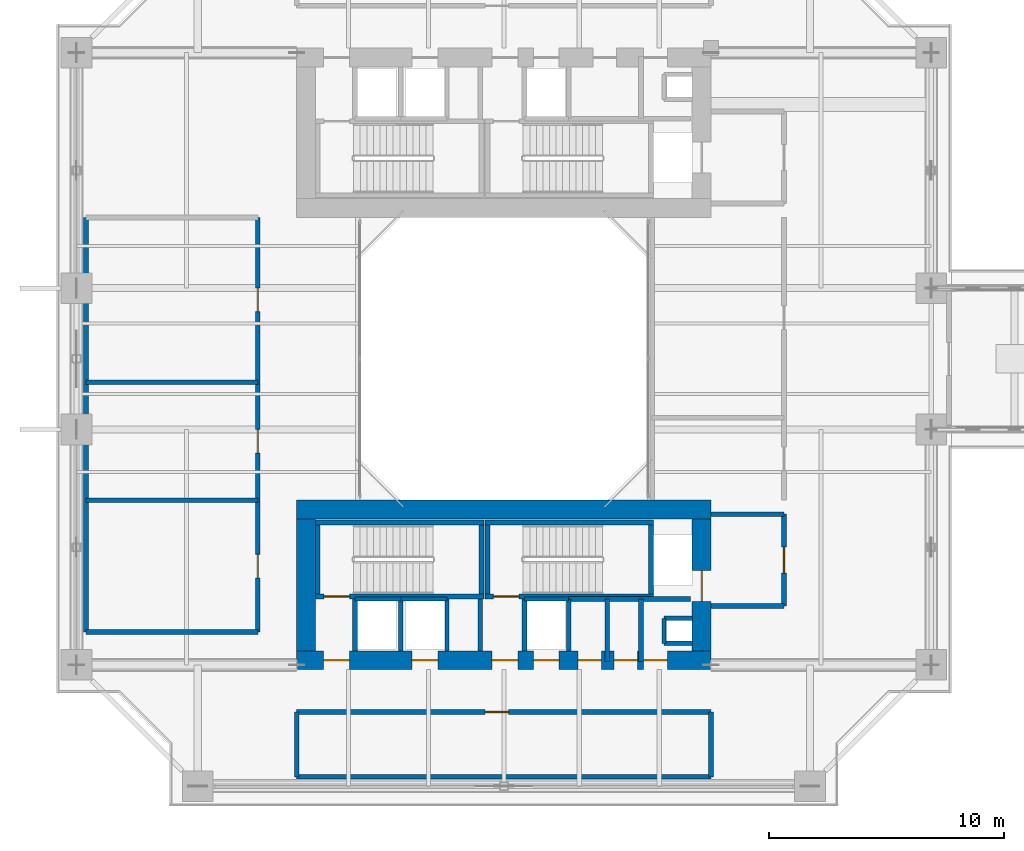
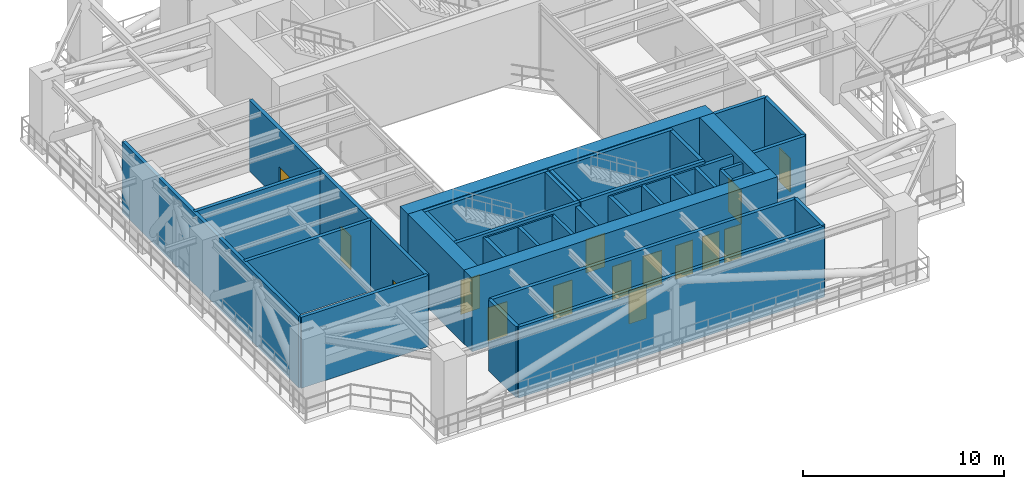
# One storey, part 17 of 26: 39 walls, 15 doors, 15 openings.
"""IFC4 building model written with IfcOpenShell, lengths in metres."""

from ifc_helpers import new_model, si_unit, direction, frame, frame_2d, origin, place, context, subcontext, project, spatial, rectangle, extrude, source, transform, mapped, material, layer, layer_set, type_object, element, fill, save


model = new_model("IFC4")

# Units and contexts
model_context = context("Model", 3, precision=1e-05, world=origin(), true_north=direction((0.0, 1.0)))
body_context = subcontext(model_context, "Body", "Model", "MODEL_VIEW")
ifc_project = project(units=[si_unit("LENGTHUNIT", "METRE"), si_unit("AREAUNIT", "SQUARE_METRE"), si_unit("VOLUMEUNIT", "CUBIC_METRE"), si_unit("PLANEANGLEUNIT", "RADIAN"), si_unit("MASSUNIT", "GRAM", prefix="KILO"), si_unit("THERMODYNAMICTEMPERATUREUNIT", "KELVIN"), si_unit("POWERUNIT", "WATT")], contexts=[model_context])

# Site, building, storey
site_placement = place(None, origin())
site = spatial("IfcSite", under=ifc_project, at=site_placement, CompositionType="ELEMENT")
building_placement = place(site_placement, origin())
building = spatial("IfcBuilding", under=site, at=building_placement, Name="Qiaomeng Ring Towers", CompositionType="ELEMENT")
storey_placement = place(building_placement, frame((0.0, 0.0, 45.75)))
storey = spatial("IfcBuildingStorey", under=building, at=storey_placement, Name="L12", CompositionType="ELEMENT", Elevation=45.75)

# Walls
ifc_material_1 = material(Name="Autoclaved aerated concrete block", Category="concrete")
ifc_layer_1 = layer(ifc_material_1, 0.199951171875, Name="Autoclaved aerated concrete block")
ifc_layer_set_1 = layer_set([ifc_layer_1], Name="Autoclaved aerated concrete block")
wall_type_1 = type_object("IfcWallType", Name="ARC-WL-PW1", PredefinedType="PARTITIONING", material=ifc_layer_set_1)
for number, where, z_axis, x_axis, name in (
    (1, (27.800048828125, 16.39990234375, 0.0), (0.0, 0.0, 1.0), (1.0, 0.0, 0.0), "L12 Interior Wall PW1"),
    (2, (27.800048828125, 12.5, 0.0), (0.0, 0.0, 1.0), (1.0, 0.0, 0.0), "L12 Interior Wall PW1"),
):
    element("IfcWall", number, at=place(storey_placement, frame(where, z_axis=z_axis, x_axis=x_axis)), inside=storey, type_object=wall_type_1, Name=name, PredefinedType="PARTITIONING", context=body_context, shape_type="SweptSolid", body=[
        extrude(rectangle(XDim=3.099853515625, YDim=0.199951171875, at=frame_2d((1.5498046875, 0.0))), origin(), (0.0, 0.0, 1.0), 4.320068359375),
    ])

# Wall, opening, door
wall_1_placement = place(storey_placement, frame((30.89990234375, 12.5, 0.0), z_axis=(0.0, 0.0, 1.0), x_axis=(0.0, 1.0, 0.0)))
wall_1 = element("IfcWall", 3, at=wall_1_placement, inside=storey, type_object=wall_type_1, Name="L12 Interior Wall PW1", PredefinedType="PARTITIONING", context=body_context, shape_type="SweptSolid", body=[
    extrude(rectangle(XDim=3.89990234375, YDim=0.199951171875, at=frame_2d((1.949951171875, 0.0))), origin(), (0.0, 0.0, 1.0), 4.320068359375),
])
opening_1_placement = place(wall_1_placement, frame((1.39990234375, 0.0, 0.0)))
opening_1 = element("IfcOpeningElement", 4, at=opening_1_placement, cuts=wall_1, Name="Opening FD3", PredefinedType="OPENING", context=body_context, shape_type="SweptSolid", body=[
    extrude(rectangle(XDim=1.10009765625, YDim=2.050048828125, at=frame_2d((0.550048828125, 1.02490234375))), frame((0.0, 0.10986328125, 0.0), z_axis=(0.0, -1.0, 0.0), x_axis=(1.0, 0.0, 0.0)), (0.0, 0.0, 1.0), 0.219970703125),
])
ifc_material_2 = material(Name="Galvanised steel", Category="steel")
door_type_1 = type_object("IfcDoorType", Name="ARC-DR-FD3", OperationType="NOTDEFINED", PredefinedType="DOOR", material=ifc_material_2)
shared_shape_1 = source(origin(), body_context, "Body", "SweptSolid", [
    extrude(rectangle(XDim=1.10009765625, YDim=2.050048828125, at=frame_2d((0.550048828125, 1.02490234375))), frame((0.0, 0.02490234375, 0.0), z_axis=(0.0, -1.0, 0.0), x_axis=(1.0, 0.0, 0.0)), (0.0, 0.0, 1.0), 0.050048828125),
])
door_1_placement = place(opening_1_placement, origin())
door_1 = element("IfcDoor", 5, at=door_1_placement, inside=storey, type_object=door_type_1, Name="L12 South FF Lobby Door", OperationType="SINGLE_SWING_LEFT", OverallHeight=2.050048828125, OverallWidth=1.10009765625, PredefinedType="DOOR", context=body_context, shape_type="MappedRepresentation", body=[
    mapped(shared_shape_1, transform((0.0, 0.0, 0.0), x_axis=(1.0, 0.0, 0.0), y_axis=(0.0, 1.0, 0.0), z_axis=(0.0, 0.0, 1.0), scale=1.0)),
])
fill(opening_1, door_1)

# Walls
for number, where, z_axis, x_axis, name in (
    (6, (12.679931640625, 10.60009765625, 0.0), (0.0, 0.0, 1.0), (0.0, 1.0, 0.0), "L12 Interior Wall PW1"),
    (7, (18.0, 10.60009765625, 0.0), (0.0, 0.0, 1.0), (0.0, 1.0, 0.0), "L12 Interior Wall PW1"),
    (8, (19.8798828125, 10.60009765625, 0.0), (0.0, 0.0, 1.0), (0.0, 1.0, 0.0), "L12 Interior Wall PW1"),
):
    element("IfcWall", number, at=place(storey_placement, frame(where, z_axis=z_axis, x_axis=x_axis)), inside=storey, type_object=wall_type_1, Name=name, PredefinedType="PARTITIONING", context=body_context, shape_type="SweptSolid", body=[
        extrude(rectangle(XDim=2.2099609375, YDim=0.199951171875, at=frame_2d((1.10498046875, 0.0))), origin(), (0.0, 0.0, 1.0), 4.320068359375),
    ])
wall_2_placement = place(storey_placement, frame((24.820068359375, 10.14990234375, 0.0), z_axis=(0.0, 0.0, 1.0), x_axis=(0.0, 1.0, 0.0)))
element("IfcWall", 9, at=wall_2_placement, inside=storey, type_object=wall_type_1, Name="L12 Interior Wall PW1", PredefinedType="PARTITIONING", context=body_context, shape_type="SweptSolid", body=[
    extrude(rectangle(XDim=2.650146484375, YDim=0.199951171875, at=frame_2d((1.3251953125, 0.0))), origin(), (0.0, 0.0, 1.0), 4.320068359375),
])
wall_3_placement = place(storey_placement, frame((21.75, 10.60009765625, 0.0), z_axis=(0.0, 0.0, 1.0), x_axis=(0.0, 1.0, 0.0)))
element("IfcWall", 10, at=wall_3_placement, inside=storey, type_object=wall_type_1, Name="L12 Interior Wall PW1", PredefinedType="PARTITIONING", context=body_context, shape_type="SweptSolid", body=[
    extrude(rectangle(XDim=2.199951171875, YDim=0.199951171875, at=frame_2d((1.10009765625, 0.0))), origin(), (0.0, 0.0, 1.0), 4.320068359375),
])
wall_4_placement = place(storey_placement, frame((23.389892578125, 10.14990234375, 0.0), z_axis=(0.0, 0.0, 1.0), x_axis=(0.0, 1.0, 0.0)))
element("IfcWall", 11, at=wall_4_placement, inside=storey, type_object=wall_type_1, Name="L12 Interior Wall PW1", PredefinedType="PARTITIONING", context=body_context, shape_type="SweptSolid", body=[
    extrude(rectangle(XDim=2.650146484375, YDim=0.199951171875, at=frame_2d((1.3251953125, 0.0))), origin(), (0.0, 0.0, 1.0), 4.320068359375),
])
wall_5_placement = place(storey_placement, frame((21.75, 12.800048828125, 0.0), z_axis=(0.0, 0.0, 1.0), x_axis=(1.0, 0.0, 0.0)))
element("IfcWall", 12, at=wall_5_placement, inside=storey, type_object=wall_type_1, Name="L12 Interior Wall PW1", PredefinedType="PARTITIONING", context=body_context, shape_type="SweptSolid", body=[
    extrude(rectangle(XDim=5.169921875, YDim=0.199951171875, at=frame_2d((2.5849609375, 0.0))), origin(), (0.0, 0.0, 1.0), 4.320068359375),
])

# Wall, opening, door
wall_6_placement = place(storey_placement, frame((10.199951171875, 8.0, 0.0), z_axis=(0.0, 0.0, 1.0), x_axis=(1.0, 0.0, 0.0)))
wall_6 = element("IfcWall", 13, at=wall_6_placement, inside=storey, type_object=wall_type_1, Name="L12 Interior Wall PW1", PredefinedType="PARTITIONING", context=body_context, shape_type="SweptSolid", body=[
    extrude(rectangle(XDim=17.60009765625, YDim=0.199951171875, at=frame_2d((8.800048828125, 0.0))), origin(), (0.0, 0.0, 1.0), 4.320068359375),
])
opening_2_placement = place(wall_6_placement, frame((8.0, 0.0, 0.0)))
opening_2 = element("IfcOpeningElement", 14, at=opening_2_placement, cuts=wall_6, Name="Opening FD1", PredefinedType="OPENING", context=body_context, shape_type="SweptSolid", body=[
    extrude(rectangle(XDim=1.0, YDim=2.050048828125, at=frame_2d((0.5, 1.02490234375))), frame((0.0, 0.10986328125, 0.0), z_axis=(0.0, -1.0, 0.0), x_axis=(1.0, 0.0, 0.0)), (0.0, 0.0, 1.0), 0.219970703125),
])
door_type_2 = type_object("IfcDoorType", Name="ARC-DR-FD1", OperationType="NOTDEFINED", PredefinedType="DOOR", material=ifc_material_2)
shared_shape_2 = source(origin(), body_context, "Body", "SweptSolid", [
    extrude(rectangle(XDim=1.0, YDim=2.050048828125, at=frame_2d((0.5, 1.02490234375))), frame((0.0, 0.02490234375, 0.0), z_axis=(0.0, -1.0, 0.0), x_axis=(1.0, 0.0, 0.0)), (0.0, 0.0, 1.0), 0.050048828125),
])
door_2_placement = place(opening_2_placement, origin())
door_2 = element("IfcDoor", 15, at=door_2_placement, inside=storey, type_object=door_type_2, Name="L12 Door FD1", OperationType="SINGLE_SWING_RIGHT", OverallHeight=2.050048828125, OverallWidth=1.0, PredefinedType="DOOR", context=body_context, shape_type="MappedRepresentation", body=[
    mapped(shared_shape_2, transform((0.0, 0.0, 0.0), x_axis=(1.0, 0.0, 0.0), y_axis=(0.0, 1.0, 0.0), z_axis=(0.0, 0.0, 1.0), scale=1.0)),
])
fill(opening_2, door_2)

# Wall, openings, doors
wall_7_placement = place(storey_placement, frame((8.550048828125, 11.39990234375, 0.0), z_axis=(0.0, 0.0, 1.0), x_axis=(0.0, 1.0, 0.0)))
wall_7 = element("IfcWall", 16, at=wall_7_placement, inside=storey, type_object=wall_type_1, Name="L12 Interior Wall PW1", PredefinedType="PARTITIONING", context=body_context, shape_type="SweptSolid", body=[
    extrude(rectangle(XDim=17.60009765625, YDim=0.199951171875, at=frame_2d((8.800048828125, 0.0))), origin(), (0.0, 0.0, 1.0), 4.320068359375),
])
opening_3_placement = place(wall_7_placement, frame((7.60009765625, 0.0, 0.0)))
opening_3 = element("IfcOpeningElement", 17, at=opening_3_placement, cuts=wall_7, Name="Opening FD1", PredefinedType="OPENING", context=body_context, shape_type="SweptSolid", body=[
    extrude(rectangle(XDim=1.0, YDim=2.050048828125, at=frame_2d((0.5, 1.02490234375))), frame((0.0, 0.10986328125, 0.0), z_axis=(0.0, -1.0, 0.0), x_axis=(1.0, 0.0, 0.0)), (0.0, 0.0, 1.0), 0.219970703125),
])
opening_4_placement = place(wall_7_placement, frame((13.60009765625, 0.0, 0.0)))
opening_4 = element("IfcOpeningElement", 18, at=opening_4_placement, cuts=wall_7, Name="Opening FD1", PredefinedType="OPENING", context=body_context, shape_type="SweptSolid", body=[
    extrude(rectangle(XDim=1.0, YDim=2.050048828125, at=frame_2d((0.5, 1.02490234375))), frame((0.0, 0.10986328125, 0.0), z_axis=(0.0, -1.0, 0.0), x_axis=(1.0, 0.0, 0.0)), (0.0, 0.0, 1.0), 0.219970703125),
])
opening_5_placement = place(wall_7_placement, frame((2.300048828125, 0.0, 0.0)))
opening_5 = element("IfcOpeningElement", 19, at=opening_5_placement, cuts=wall_7, Name="Opening FD1", PredefinedType="OPENING", context=body_context, shape_type="SweptSolid", body=[
    extrude(rectangle(XDim=1.0, YDim=2.050048828125, at=frame_2d((0.5, 1.02490234375))), frame((0.0, 0.10986328125, 0.0), z_axis=(0.0, -1.0, 0.0), x_axis=(1.0, 0.0, 0.0)), (0.0, 0.0, 1.0), 0.219970703125),
])
door_3_placement = place(opening_3_placement, origin())
door_3 = element("IfcDoor", 20, at=door_3_placement, inside=storey, type_object=door_type_2, Name="L12 Door FD1", OperationType="SINGLE_SWING_LEFT", OverallHeight=2.050048828125, OverallWidth=1.0, PredefinedType="DOOR", context=body_context, shape_type="MappedRepresentation", body=[
    mapped(shared_shape_2, transform((0.0, 0.0, 0.0), x_axis=(1.0, 0.0, 0.0), y_axis=(0.0, 1.0, 0.0), z_axis=(0.0, 0.0, 1.0), scale=1.0)),
])
fill(opening_3, door_3)
door_4_placement = place(opening_4_placement, origin())
door_4 = element("IfcDoor", 21, at=door_4_placement, inside=storey, type_object=door_type_2, Name="L12 Door FD1", OperationType="SINGLE_SWING_RIGHT", OverallHeight=2.050048828125, OverallWidth=1.0, PredefinedType="DOOR", context=body_context, shape_type="MappedRepresentation", body=[
    mapped(shared_shape_2, transform((0.0, 0.0, 0.0), x_axis=(1.0, 0.0, 0.0), y_axis=(0.0, 1.0, 0.0), z_axis=(0.0, 0.0, 1.0), scale=1.0)),
])
fill(opening_4, door_4)
door_5_placement = place(opening_5_placement, origin())
door_5 = element("IfcDoor", 22, at=door_5_placement, inside=storey, type_object=door_type_2, Name="L12 Door FD1", OperationType="SINGLE_SWING_LEFT", OverallHeight=2.050048828125, OverallWidth=1.0, PredefinedType="DOOR", context=body_context, shape_type="MappedRepresentation", body=[
    mapped(shared_shape_2, transform((0.0, 0.0, 0.0), x_axis=(1.0, 0.0, 0.0), y_axis=(0.0, 1.0, 0.0), z_axis=(0.0, 0.0, 1.0), scale=1.0)),
])
fill(opening_5, door_5)

# Walls
for number, where, z_axis, x_axis, name in (
    (23, (1.25, 11.39990234375, 0.0), (0.0, 0.0, 1.0), (1.0, 0.0, 0.0), "L12 Interior Wall PW1"),
    (24, (1.25, 17.0, 0.0), (0.0, 0.0, 1.0), (1.0, 0.0, 0.0), "L12 Interior Wall PW1"),
    (25, (1.25, 22.0, 0.0), (0.0, 0.0, 1.0), (1.0, 0.0, 0.0), "L12 Interior Wall PW1"),
):
    element("IfcWall", number, at=place(storey_placement, frame(where, z_axis=z_axis, x_axis=x_axis)), inside=storey, type_object=wall_type_1, Name=name, PredefinedType="PARTITIONING", context=body_context, shape_type="SweptSolid", body=[
        extrude(rectangle(XDim=7.300048828125, YDim=0.199951171875, at=frame_2d((3.64990234375, 0.0))), origin(), (0.0, 0.0, 1.0), 4.320068359375),
    ])
wall_8_placement = place(storey_placement, frame((1.25, 11.39990234375, 0.0), z_axis=(0.0, 0.0, 1.0), x_axis=(0.0, 1.0, 0.0)))
element("IfcWall", 26, at=wall_8_placement, inside=storey, type_object=wall_type_1, Name="L12 Interior Wall PW1", PredefinedType="PARTITIONING", context=body_context, shape_type="SweptSolid", body=[
    extrude(rectangle(XDim=17.60009765625, YDim=0.199951171875, at=frame_2d((8.800048828125, 0.0))), origin(), (0.0, 0.0, 1.0), 4.320068359375),
])
for number, where, z_axis, x_axis, name in (
    (27, (10.199951171875, 5.25, 0.0), (0.0, 0.0, 1.0), (0.0, 1.0, 0.0), "L12 Interior Wall PW1"),
    (28, (27.800048828125, 5.25, 0.0), (0.0, 0.0, 1.0), (0.0, 1.0, 0.0), "L12 Interior Wall PW1"),
):
    element("IfcWall", number, at=place(storey_placement, frame(where, z_axis=z_axis, x_axis=x_axis)), inside=storey, type_object=wall_type_1, Name=name, PredefinedType="PARTITIONING", context=body_context, shape_type="SweptSolid", body=[
        extrude(rectangle(XDim=2.75, YDim=0.199951171875, at=frame_2d((1.375, 0.0))), origin(), (0.0, 0.0, 1.0), 4.320068359375),
    ])
wall_9_placement = place(storey_placement, frame((10.199951171875, 5.25, 0.0), z_axis=(0.0, 0.0, 1.0), x_axis=(1.0, 0.0, 0.0)))
element("IfcWall", 29, at=wall_9_placement, inside=storey, type_object=wall_type_1, Name="L12 Interior Wall PW1", PredefinedType="PARTITIONING", context=body_context, shape_type="SweptSolid", body=[
    extrude(rectangle(XDim=17.60009765625, YDim=0.199951171875, at=frame_2d((8.800048828125, 0.0))), origin(), (0.0, 0.0, 1.0), 4.320068359375),
])
ifc_material_3 = material(Name="Concrete C40", Category="concrete")
ifc_layer_2 = layer(ifc_material_3, 0.199951171875, Name="Concrete C40")
ifc_layer_set_2 = layer_set([ifc_layer_2], Name="Concrete C40")
wall_type_2 = type_object("IfcWallType", Name="STR-WL-STSHAFT", PredefinedType="SHEAR", material=ifc_layer_set_2)
wall_10_placement = place(storey_placement, frame((12.679931640625, 12.800048828125, 0.0), z_axis=(0.0, 0.0, 1.0), x_axis=(1.0, 0.0, 0.0)))
element("IfcWall", 30, at=wall_10_placement, inside=storey, type_object=wall_type_2, Name="L12 Lift LP6 Shaft Back Wall", PredefinedType="SHEAR", context=body_context, shape_type="SweptSolid", body=[
    extrude(rectangle(XDim=1.940185546875, YDim=0.179931640625, at=frame_2d((0.97021484375, 0.0))), origin(), (0.0, 0.0, 1.0), 4.320068359375),
])
wall_11_placement = place(storey_placement, frame((14.6201171875, 10.60009765625, 0.0), z_axis=(0.0, 0.0, 1.0), x_axis=(0.0, 1.0, 0.0)))
element("IfcWall", 31, at=wall_11_placement, inside=storey, type_object=wall_type_2, Name="L12 Lift LP6-LP4 Shaft Divider Wall", PredefinedType="SHEAR", context=body_context, shape_type="SweptSolid", body=[
    extrude(rectangle(XDim=2.199951171875, YDim=0.179931640625, at=frame_2d((1.10009765625, 0.0))), origin(), (0.0, 0.0, 1.0), 4.320068359375),
])
wall_12_placement = place(storey_placement, frame((25.800048828125, 10.919921875, 0.0), z_axis=(0.0, 0.0, 1.0), x_axis=(0.0, 1.0, 0.0)))
element("IfcWall", 32, at=wall_12_placement, inside=storey, type_object=wall_type_2, Name="L12 Riser RSR1 West Shaft Wall S", PredefinedType="SHEAR", context=body_context, shape_type="SweptSolid", body=[
    extrude(rectangle(XDim=1.06005859375, YDim=0.179931640625, at=frame_2d((0.530029296875, 0.0))), origin(), (0.0, 0.0, 1.0), 4.320068359375),
])
for number, where, z_axis, x_axis, name in (
    (33, (25.800048828125, 11.97998046875, 0.0), (0.0, 0.0, 1.0), (1.0, 0.0, 0.0), "L12 Riser RSR1 North Shaft Wall S"),
    (34, (25.800048828125, 10.919921875, 0.0), (0.0, 0.0, 1.0), (1.0, 0.0, 0.0), "L12 Riser RSR1 South Shaft Wall S"),
):
    element("IfcWall", number, at=place(storey_placement, frame(where, z_axis=z_axis, x_axis=x_axis)), inside=storey, type_object=wall_type_2, Name=name, PredefinedType="SHEAR", context=body_context, shape_type="SweptSolid", body=[
        extrude(rectangle(XDim=1.199951171875, YDim=0.179931640625, at=frame_2d((0.60009765625, 0.0))), origin(), (0.0, 0.0, 1.0), 4.320068359375),
    ])
wall_13_placement = place(storey_placement, frame((14.6201171875, 12.800048828125, 0.0), z_axis=(0.0, 0.0, 1.0), x_axis=(1.0, 0.0, 0.0)))
element("IfcWall", 35, at=wall_13_placement, inside=storey, type_object=wall_type_2, Name="L12 Lift LP4 Shaft Back Wall", PredefinedType="SHEAR", context=body_context, shape_type="SweptSolid", body=[
    extrude(rectangle(XDim=1.9599609375, YDim=0.179931640625, at=frame_2d((0.97998046875, 0.0))), origin(), (0.0, 0.0, 1.0), 4.320068359375),
])
wall_14_placement = place(storey_placement, frame((16.580078125, 10.60009765625, 0.0), z_axis=(0.0, 0.0, 1.0), x_axis=(0.0, 1.0, 0.0)))
element("IfcWall", 36, at=wall_14_placement, inside=storey, type_object=wall_type_2, Name="L12 Lift LP4 East Shaft Wall", PredefinedType="SHEAR", context=body_context, shape_type="SweptSolid", body=[
    extrude(rectangle(XDim=2.199951171875, YDim=0.179931640625, at=frame_2d((1.10009765625, 0.0))), origin(), (0.0, 0.0, 1.0), 4.320068359375),
])
wall_15_placement = place(storey_placement, frame((19.8798828125, 12.800048828125, 0.0), z_axis=(0.0, 0.0, 1.0), x_axis=(1.0, 0.0, 0.0)))
element("IfcWall", 37, at=wall_15_placement, inside=storey, type_object=wall_type_2, Name="L12 Lift LP2 Shaft Back Wall", PredefinedType="SHEAR", context=body_context, shape_type="SweptSolid", body=[
    extrude(rectangle(XDim=1.8701171875, YDim=0.179931640625, at=frame_2d((0.93505859375, 0.0))), origin(), (0.0, 0.0, 1.0), 4.320068359375),
])

# Wall, opening, door
wall_16_placement = place(storey_placement, frame((11.0, 12.909912109375, 0.0), z_axis=(0.0, 0.0, 1.0), x_axis=(1.0, 0.0, 0.0)))
wall_16 = element("IfcWall", 38, at=wall_16_placement, inside=storey, type_object=wall_type_2, Name="L12 Stair ST3 South Shaft Shear Wall", PredefinedType="SHEAR", context=body_context, shape_type="SweptSolid", body=[
    extrude(rectangle(XDim=7.14990234375, YDim=0.199951171875, at=frame_2d((3.574951171875, 0.0))), origin(), (0.0, 0.0, 1.0), 4.5),
])
opening_6_placement = place(wall_16_placement, frame((0.35009765625, 0.0, 0.0)))
opening_6 = element("IfcOpeningElement", 39, at=opening_6_placement, cuts=wall_16, Name="Opening FD3", PredefinedType="OPENING", context=body_context, shape_type="SweptSolid", body=[
    extrude(rectangle(XDim=1.10009765625, YDim=2.050048828125, at=frame_2d((0.550048828125, 1.02490234375))), frame((0.0, 0.10986328125, 0.0), z_axis=(0.0, -1.0, 0.0), x_axis=(1.0, 0.0, 0.0)), (0.0, 0.0, 1.0), 0.219970703125),
])
door_6_placement = place(opening_6_placement, frame((1.10009765625, 0.0, 0.0), z_axis=(0.0, 0.0, 1.0), x_axis=(-1.0, 0.0, 0.0)))
door_6 = element("IfcDoor", 40, at=door_6_placement, inside=storey, type_object=door_type_1, Name="L12 Stair ST3 Exit Door", OperationType="SINGLE_SWING_LEFT", OverallHeight=2.050048828125, OverallWidth=1.10009765625, PredefinedType="DOOR", context=body_context, shape_type="MappedRepresentation", body=[
    mapped(shared_shape_1, transform((0.0, 0.0, 0.0), x_axis=(1.0, 0.0, 0.0), y_axis=(0.0, 1.0, 0.0), z_axis=(0.0, 0.0, 1.0), scale=1.0)),
])
fill(opening_6, door_6)

# Walls
wall_17_placement = place(storey_placement, frame((11.0, 16.050048828125, 0.0), z_axis=(0.0, 0.0, 1.0), x_axis=(1.0, 0.0, 0.0)))
element("IfcWall", 41, at=wall_17_placement, inside=storey, type_object=wall_type_2, Name="L12 Stair ST3 North Shaft Shear Wall", PredefinedType="SHEAR", context=body_context, shape_type="SweptSolid", body=[
    extrude(rectangle(XDim=7.14990234375, YDim=0.199951171875, at=frame_2d((3.574951171875, 0.0))), origin(), (0.0, 0.0, 1.0), 4.5),
])
for number, where, z_axis, x_axis, name in (
    (42, (11.10009765625, 13.010009765625, 0.0), (0.0, 0.0, 1.0), (0.0, 1.0, 0.0), "L12 Stair ST3 West Shaft Shear Wall"),
    (43, (18.050048828125, 13.010009765625, 0.0), (0.0, 0.0, 1.0), (0.0, 1.0, 0.0), "L12 Stair ST3 East Shaft Shear Wall"),
):
    element("IfcWall", number, at=place(storey_placement, frame(where, z_axis=z_axis, x_axis=x_axis)), inside=storey, type_object=wall_type_2, Name=name, PredefinedType="SHEAR", context=body_context, shape_type="SweptSolid", body=[
        extrude(rectangle(XDim=2.93994140625, YDim=0.199951171875, at=frame_2d((1.469970703125, 0.0))), origin(), (0.0, 0.0, 1.0), 4.5),
    ])

# Wall, opening, door
wall_18_placement = place(storey_placement, frame((18.199951171875, 12.909912109375, 0.0), z_axis=(0.0, 0.0, 1.0), x_axis=(1.0, 0.0, 0.0)))
wall_18 = element("IfcWall", 44, at=wall_18_placement, inside=storey, type_object=wall_type_2, Name="L12 Stair ST4 South Shaft Shear Wall", PredefinedType="SHEAR", context=body_context, shape_type="SweptSolid", body=[
    extrude(rectangle(XDim=7.150146484375, YDim=0.199951171875, at=frame_2d((3.5751953125, 0.0))), origin(), (0.0, 0.0, 1.0), 4.5),
])
opening_7_placement = place(wall_18_placement, frame((0.35009765625, 0.0, 0.0)))
opening_7 = element("IfcOpeningElement", 45, at=opening_7_placement, cuts=wall_18, Name="Opening FD3", PredefinedType="OPENING", context=body_context, shape_type="SweptSolid", body=[
    extrude(rectangle(XDim=1.10009765625, YDim=2.050048828125, at=frame_2d((0.550048828125, 1.02490234375))), frame((0.0, 0.10986328125, 0.0), z_axis=(0.0, -1.0, 0.0), x_axis=(1.0, 0.0, 0.0)), (0.0, 0.0, 1.0), 0.219970703125),
])
door_7_placement = place(opening_7_placement, frame((1.10009765625, 0.0, 0.0), z_axis=(0.0, 0.0, 1.0), x_axis=(-1.0, 0.0, 0.0)))
door_7 = element("IfcDoor", 46, at=door_7_placement, inside=storey, type_object=door_type_1, Name="L12 Stair ST4 Exit Door", OperationType="SINGLE_SWING_LEFT", OverallHeight=2.050048828125, OverallWidth=1.10009765625, PredefinedType="DOOR", context=body_context, shape_type="MappedRepresentation", body=[
    mapped(shared_shape_1, transform((0.0, 0.0, 0.0), x_axis=(1.0, 0.0, 0.0), y_axis=(0.0, 1.0, 0.0), z_axis=(0.0, 0.0, 1.0), scale=1.0)),
])
fill(opening_7, door_7)

# Walls
wall_19_placement = place(storey_placement, frame((18.199951171875, 16.050048828125, 0.0), z_axis=(0.0, 0.0, 1.0), x_axis=(1.0, 0.0, 0.0)))
element("IfcWall", 47, at=wall_19_placement, inside=storey, type_object=wall_type_2, Name="L12 Stair ST4 North Shaft Shear Wall", PredefinedType="SHEAR", context=body_context, shape_type="SweptSolid", body=[
    extrude(rectangle(XDim=7.150146484375, YDim=0.199951171875, at=frame_2d((3.5751953125, 0.0))), origin(), (0.0, 0.0, 1.0), 4.5),
])
for number, where, z_axis, x_axis, name in (
    (48, (18.300048828125, 13.010009765625, 0.0), (0.0, 0.0, 1.0), (0.0, 1.0, 0.0), "L12 Stair ST4 West Shaft Shear Wall"),
    (49, (25.25, 13.010009765625, 0.0), (0.0, 0.0, 1.0), (0.0, 1.0, 0.0), "L12 Stair ST4 East Shaft Shear Wall"),
):
    element("IfcWall", number, at=place(storey_placement, frame(where, z_axis=z_axis, x_axis=x_axis)), inside=storey, type_object=wall_type_2, Name=name, PredefinedType="SHEAR", context=body_context, shape_type="SweptSolid", body=[
        extrude(rectangle(XDim=2.93994140625, YDim=0.199951171875, at=frame_2d((1.469970703125, 0.0))), origin(), (0.0, 0.0, 1.0), 4.5),
    ])

# Wall, openings, doors
ifc_material_4 = material(Name="Concrete C60", Category="concrete")
ifc_layer_3 = layer(ifc_material_4, 0.800048828125, Name="Concrete C60")
ifc_layer_set_3 = layer_set([ifc_layer_3], Name="Concrete C60")
wall_type_3 = type_object("IfcWallType", Name="STR-WL-SW1", PredefinedType="SHEAR", material=ifc_layer_set_3)
wall_20_placement = place(storey_placement, frame((10.199951171875, 10.199951171875, 0.0), z_axis=(0.0, 0.0, 1.0), x_axis=(1.0, 0.0, 0.0)))
wall_20 = element("IfcWall", 50, at=wall_20_placement, inside=storey, type_object=wall_type_3, Name="L12 T1SC south core shear wall", PredefinedType="SHEAR", context=body_context, shape_type="SweptSolid", body=[
    extrude(rectangle(XDim=17.60009765625, YDim=0.800048828125, at=frame_2d((8.800048828125, 0.0))), origin(), (0.0, 0.0, 1.0), 4.5),
])
opening_8_placement = place(wall_20_placement, frame((1.14990234375, 0.0, 0.0)))
opening_8 = element("IfcOpeningElement", 51, at=opening_8_placement, cuts=wall_20, Name="Opening FD3", PredefinedType="OPENING", context=body_context, shape_type="SweptSolid", body=[
    extrude(rectangle(XDim=1.10009765625, YDim=2.050048828125, at=frame_2d((0.550048828125, 1.02490234375))), frame((0.0, 0.409912109375, 0.0), z_axis=(0.0, -1.0, 0.0), x_axis=(1.0, 0.0, 0.0)), (0.0, 0.0, 1.0), 0.820068359375),
])
opening_9_placement = place(wall_20_placement, frame((8.300048828125, 0.0, 0.0)))
opening_9 = element("IfcOpeningElement", 52, at=opening_9_placement, cuts=wall_20, Name="Opening FD3", PredefinedType="OPENING", context=body_context, shape_type="SweptSolid", body=[
    extrude(rectangle(XDim=1.10009765625, YDim=2.050048828125, at=frame_2d((0.550048828125, 1.02490234375))), frame((0.0, 0.409912109375, 0.0), z_axis=(0.0, -1.0, 0.0), x_axis=(1.0, 0.0, 0.0)), (0.0, 0.0, 1.0), 0.820068359375),
])
opening_10_placement = place(wall_20_placement, frame((10.050048828125, 0.0, 0.0)))
opening_10 = element("IfcOpeningElement", 53, at=opening_10_placement, cuts=wall_20, Name="Opening LD1", PredefinedType="OPENING", context=body_context, shape_type="SweptSolid", body=[
    extrude(rectangle(XDim=1.10009765625, YDim=2.050048828125, at=frame_2d((0.550048828125, 1.02490234375))), frame((0.0, 0.409912109375, 0.0), z_axis=(0.0, -1.0, 0.0), x_axis=(1.0, 0.0, 0.0)), (0.0, 0.0, 1.0), 0.820068359375),
])
opening_11_placement = place(wall_20_placement, frame((4.89990234375, 0.0, 0.0)))
opening_11 = element("IfcOpeningElement", 54, at=opening_11_placement, cuts=wall_20, Name="Opening LD1", PredefinedType="OPENING", context=body_context, shape_type="SweptSolid", body=[
    extrude(rectangle(XDim=1.10009765625, YDim=2.050048828125, at=frame_2d((0.550048828125, 1.02490234375))), frame((0.0, 0.409912109375, 0.0), z_axis=(0.0, -1.0, 0.0), x_axis=(1.0, 0.0, 0.0)), (0.0, 0.0, 1.0), 0.820068359375),
])
opening_12_placement = place(wall_20_placement, frame((14.739990234375, 0.0, 0.0)))
opening_12 = element("IfcOpeningElement", 55, at=opening_12_placement, cuts=wall_20, Name="Opening FD1", PredefinedType="OPENING", context=body_context, shape_type="SweptSolid", body=[
    extrude(rectangle(XDim=1.0, YDim=2.050048828125, at=frame_2d((0.5, 1.02490234375))), frame((0.0, 0.409912109375, 0.0), z_axis=(0.0, -1.0, 0.0), x_axis=(1.0, 0.0, 0.0)), (0.0, 0.0, 1.0), 0.820068359375),
])
opening_13_placement = place(wall_20_placement, frame((11.945068359375, 0.0, 0.0)))
opening_13 = element("IfcOpeningElement", 56, at=opening_13_placement, cuts=wall_20, Name="Opening FD1", PredefinedType="OPENING", context=body_context, shape_type="SweptSolid", body=[
    extrude(rectangle(XDim=1.0, YDim=2.050048828125, at=frame_2d((0.5, 1.02490234375))), frame((0.0, 0.409912109375, 0.0), z_axis=(0.0, -1.0, 0.0), x_axis=(1.0, 0.0, 0.0)), (0.0, 0.0, 1.0), 0.820068359375),
])
opening_14_placement = place(wall_20_placement, frame((13.47998046875, 0.0, 0.0)))
opening_14 = element("IfcOpeningElement", 57, at=opening_14_placement, cuts=wall_20, Name="Opening FD1", PredefinedType="OPENING", context=body_context, shape_type="SweptSolid", body=[
    extrude(rectangle(XDim=1.0, YDim=2.050048828125, at=frame_2d((0.5, 1.02490234375))), frame((0.0, 0.409912109375, 0.0), z_axis=(0.0, -1.0, 0.0), x_axis=(1.0, 0.0, 0.0)), (0.0, 0.0, 1.0), 0.820068359375),
])
door_8_placement = place(opening_8_placement, origin())
door_8 = element("IfcDoor", 58, at=door_8_placement, inside=storey, type_object=door_type_1, Name="L12 Stair ST3 Lobby Door", OperationType="SINGLE_SWING_RIGHT", OverallHeight=2.050048828125, OverallWidth=1.10009765625, PredefinedType="DOOR", context=body_context, shape_type="MappedRepresentation", body=[
    mapped(shared_shape_1, transform((0.0, 0.0, 0.0), x_axis=(1.0, 0.0, 0.0), y_axis=(0.0, 1.0, 0.0), z_axis=(0.0, 0.0, 1.0), scale=1.0)),
])
fill(opening_8, door_8)
door_9_placement = place(opening_9_placement, origin())
door_9 = element("IfcDoor", 59, at=door_9_placement, inside=storey, type_object=door_type_1, Name="L12 Stair ST4 Lobby Door", OperationType="SINGLE_SWING_RIGHT", OverallHeight=2.050048828125, OverallWidth=1.10009765625, PredefinedType="DOOR", context=body_context, shape_type="MappedRepresentation", body=[
    mapped(shared_shape_1, transform((0.0, 0.0, 0.0), x_axis=(1.0, 0.0, 0.0), y_axis=(0.0, 1.0, 0.0), z_axis=(0.0, 0.0, 1.0), scale=1.0)),
])
fill(opening_9, door_9)
ifc_material_5 = material(Name="Stainless steel 316", Category="steel")
door_type_3 = type_object("IfcDoorType", Name="ARC-DR-LD1", OperationType="NOTDEFINED", PredefinedType="DOOR", material=ifc_material_5)
door_10_placement = place(opening_10_placement, origin())
door_10 = element("IfcDoor", 60, at=door_10_placement, inside=storey, type_object=door_type_3, Name="L12 Low-Zone Lift LP2 Landing Door", OperationType="SLIDING_TO_RIGHT", OverallHeight=2.050048828125, OverallWidth=1.10009765625, PredefinedType="DOOR", context=body_context, shape_type="MappedRepresentation", body=[
    mapped(shared_shape_1, transform((0.0, 0.0, 0.0), x_axis=(1.0, 0.0, 0.0), y_axis=(0.0, 1.0, 0.0), z_axis=(0.0, 0.0, 1.0), scale=1.0)),
])
fill(opening_10, door_10)
door_11_placement = place(opening_11_placement, origin())
door_11 = element("IfcDoor", 61, at=door_11_placement, inside=storey, type_object=door_type_3, Name="L12 Mid-Zone Lift LP4 Landing Door", OperationType="SLIDING_TO_RIGHT", OverallHeight=2.050048828125, OverallWidth=1.10009765625, PredefinedType="DOOR", context=body_context, shape_type="MappedRepresentation", body=[
    mapped(shared_shape_1, transform((0.0, 0.0, 0.0), x_axis=(1.0, 0.0, 0.0), y_axis=(0.0, 1.0, 0.0), z_axis=(0.0, 0.0, 1.0), scale=1.0)),
])
fill(opening_11, door_11)
door_12_placement = place(opening_12_placement, origin())
door_12 = element("IfcDoor", 62, at=door_12_placement, inside=storey, type_object=door_type_2, Name="L12 South Electrical Riser Door", OperationType="SINGLE_SWING_LEFT", OverallHeight=2.050048828125, OverallWidth=1.0, PredefinedType="DOOR", context=body_context, shape_type="MappedRepresentation", body=[
    mapped(shared_shape_2, transform((0.0, 0.0, 0.0), x_axis=(1.0, 0.0, 0.0), y_axis=(0.0, 1.0, 0.0), z_axis=(0.0, 0.0, 1.0), scale=1.0)),
])
fill(opening_12, door_12)
door_13_placement = place(opening_13_placement, origin())
door_13 = element("IfcDoor", 63, at=door_13_placement, inside=storey, type_object=door_type_2, Name="L12 South Ventilation Plant Room Door", OperationType="SINGLE_SWING_LEFT", OverallHeight=2.050048828125, OverallWidth=1.0, PredefinedType="DOOR", context=body_context, shape_type="MappedRepresentation", body=[
    mapped(shared_shape_2, transform((0.0, 0.0, 0.0), x_axis=(1.0, 0.0, 0.0), y_axis=(0.0, 1.0, 0.0), z_axis=(0.0, 0.0, 1.0), scale=1.0)),
])
fill(opening_13, door_13)
door_14_placement = place(opening_14_placement, origin())
door_14 = element("IfcDoor", 64, at=door_14_placement, inside=storey, type_object=door_type_2, Name="L12 South Linen Store Door", OperationType="SINGLE_SWING_RIGHT", OverallHeight=2.050048828125, OverallWidth=1.0, PredefinedType="DOOR", context=body_context, shape_type="MappedRepresentation", body=[
    mapped(shared_shape_2, transform((0.0, 0.0, 0.0), x_axis=(1.0, 0.0, 0.0), y_axis=(0.0, 1.0, 0.0), z_axis=(0.0, 0.0, 1.0), scale=1.0)),
])
fill(opening_14, door_14)

# Walls
wall_21_placement = place(storey_placement, frame((10.199951171875, 16.60009765625, 0.0), z_axis=(0.0, 0.0, 1.0), x_axis=(1.0, 0.0, 0.0)))
element("IfcWall", 65, at=wall_21_placement, inside=storey, type_object=wall_type_3, Name="L12 T1SC north core shear wall", PredefinedType="SHEAR", context=body_context, shape_type="SweptSolid", body=[
    extrude(rectangle(XDim=17.60009765625, YDim=0.800048828125, at=frame_2d((8.800048828125, 0.0))), origin(), (0.0, 0.0, 1.0), 4.5),
])
wall_22_placement = place(storey_placement, frame((10.60009765625, 10.60009765625, 0.0), z_axis=(0.0, 0.0, 1.0), x_axis=(0.0, 1.0, 0.0)))
element("IfcWall", 66, at=wall_22_placement, inside=storey, type_object=wall_type_3, Name="L12 T1SC west core shear wall", PredefinedType="SHEAR", context=body_context, shape_type="SweptSolid", body=[
    extrude(rectangle(XDim=5.599853515625, YDim=0.800048828125, at=frame_2d((2.7998046875, 0.0))), origin(), (0.0, 0.0, 1.0), 4.5),
])

# Wall, opening, door
wall_23_placement = place(storey_placement, frame((27.39990234375, 10.60009765625, 0.0), z_axis=(0.0, 0.0, 1.0), x_axis=(0.0, 1.0, 0.0)))
wall_23 = element("IfcWall", 67, at=wall_23_placement, inside=storey, type_object=wall_type_3, Name="L12 T1SC east core shear wall", PredefinedType="SHEAR", context=body_context, shape_type="SweptSolid", body=[
    extrude(rectangle(XDim=5.599853515625, YDim=0.800048828125, at=frame_2d((2.7998046875, 0.0))), origin(), (0.0, 0.0, 1.0), 4.5),
])
opening_15_placement = place(wall_23_placement, frame((2.10009765625, 0.0, 0.0)))
opening_15 = element("IfcOpeningElement", 68, at=opening_15_placement, cuts=wall_23, Name="Opening LD2", PredefinedType="OPENING", context=body_context, shape_type="SweptSolid", body=[
    extrude(rectangle(XDim=1.300048828125, YDim=2.050048828125, at=frame_2d((0.64990234375, 1.02490234375))), frame((0.0, 0.409912109375, 0.0), z_axis=(0.0, -1.0, 0.0), x_axis=(1.0, 0.0, 0.0)), (0.0, 0.0, 1.0), 0.820068359375),
])
door_type_4 = type_object("IfcDoorType", Name="ARC-DR-LD2", OperationType="NOTDEFINED", PredefinedType="DOOR", material=ifc_material_5)
shared_shape_3 = source(origin(), body_context, "Body", "SweptSolid", [
    extrude(rectangle(XDim=1.300048828125, YDim=2.050048828125, at=frame_2d((0.64990234375, 1.02490234375))), frame((0.0, 0.02490234375, 0.0), z_axis=(0.0, -1.0, 0.0), x_axis=(1.0, 0.0, 0.0)), (0.0, 0.0, 1.0), 0.050048828125),
])
door_15_placement = place(opening_15_placement, origin())
door_15 = element("IfcDoor", 69, at=door_15_placement, inside=storey, type_object=door_type_4, Name="L12 Firefighting Lift FL2 Landing Door", OperationType="SLIDING_TO_RIGHT", OverallHeight=2.050048828125, OverallWidth=1.300048828125, PredefinedType="DOOR", context=body_context, shape_type="MappedRepresentation", body=[
    mapped(shared_shape_3, transform((0.0, 0.0, 0.0), x_axis=(1.0, 0.0, 0.0), y_axis=(0.0, 1.0, 0.0), z_axis=(0.0, 0.0, 1.0), scale=1.0)),
])
fill(opening_15, door_15)

save(model, "model.ifc")
